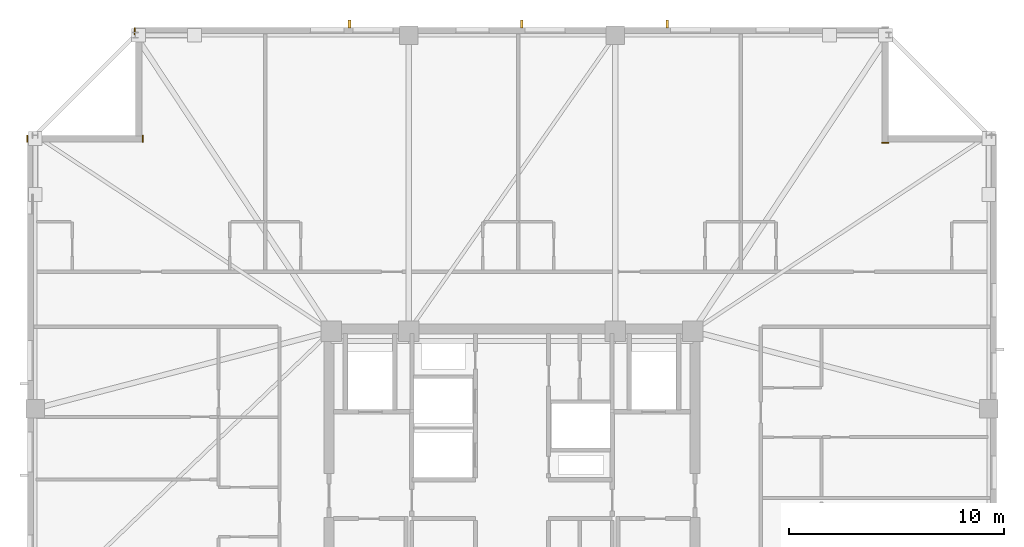
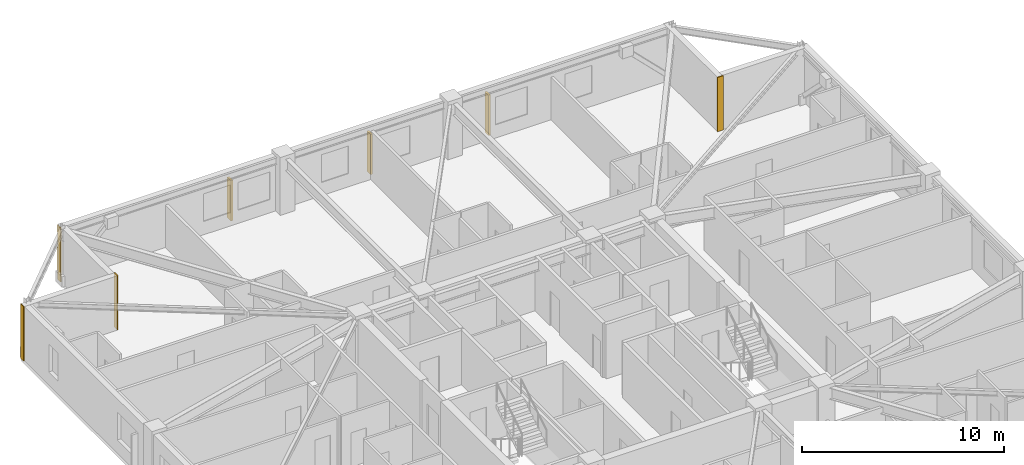
# One storey, part 16 of 17: 4 coverings, 3 shading devices.
"""IFC4 building model written with IfcOpenShell, lengths in metres."""

from ifc_helpers import new_model, si_unit, direction, frame, frame_2d, origin, origin_2d, place, context, subcontext, project, spatial, rectangle, extrude, material, layer, layer_set, type_object, element, save


model = new_model("IFC4")

# Units and contexts
model_context = context("Model", 3, precision=1e-05, world=origin(), true_north=direction((0.0, 1.0)))
body_context = subcontext(model_context, "Body", "Model", "MODEL_VIEW")
ifc_project = project(units=[si_unit("LENGTHUNIT", "METRE"), si_unit("AREAUNIT", "SQUARE_METRE"), si_unit("VOLUMEUNIT", "CUBIC_METRE"), si_unit("PLANEANGLEUNIT", "RADIAN"), si_unit("MASSUNIT", "GRAM", prefix="KILO")], contexts=[model_context])

# Site, building, storey
site_placement = place(None, origin())
site = spatial("IfcSite", under=ifc_project, at=site_placement, CompositionType="ELEMENT")
building_placement = place(site_placement, origin())
building = spatial("IfcBuilding", under=site, at=building_placement, Name="Cairnveth Concourse Tower", CompositionType="ELEMENT")
storey_placement = place(building_placement, frame((0.0, 0.0, 258.5)))
storey = spatial("IfcBuildingStorey", under=building, at=storey_placement, Name="L71", CompositionType="ELEMENT", Elevation=258.5)

# Coverings
ifc_material_1 = material(Name="Dressed Melbourne Bluestone Cladding", Category="masonry")
ifc_layer = layer(ifc_material_1, 0.050048828125)
ifc_layer_set = layer_set([ifc_layer], Name="Dressed Melbourne Bluestone Cladding")
covering_type = type_object("IfcCoveringType", Name="DRESSED BLUESTONE PLINTH CLADDING 50", PredefinedType="CLADDING", material=ifc_layer_set)
for number, where, z_axis, x_axis, name in (
    (1, (29.47998046875, 56.179931640625, 0.0), (0.0, 0.0, 1.0), (0.0, 1.0, 0.0), "Melbourne Bluestone Corner Quoin L71-1075"),
    (2, (34.840087890625, 56.179931640625, 0.0), (0.0, 0.0, 1.0), (0.0, 1.0, 0.0), "Melbourne Bluestone Corner Quoin L71-1076"),
    (3, (34.47998046875, 61.179931640625, 0.0), (0.0, 0.0, 1.0), (0.0, 1.0, 0.0), "Melbourne Bluestone Corner Quoin L71-1077"),
    (4, (69.179931640625, 56.159912109375, 0.0), (0.0, 0.0, 1.0), (1.0, 0.0, 0.0), "Melbourne Bluestone Corner Quoin L71-1079"),
):
    element("IfcCovering", number, at=place(storey_placement, frame(where, z_axis=z_axis, x_axis=x_axis)), inside=storey, type_object=covering_type, Name=name, PredefinedType="CLADDING", context=body_context, shape_type="SweptSolid", body=[
        extrude(rectangle(XDim=0.320068359375, YDim=0.050048828125, at=frame_2d((0.16015625, 0.0))), origin(), (0.0, 0.0, 1.0), 3.2900390625),
    ])

# Shading devices
ifc_material_2 = material(Name="Architectural Bronze Anodised Aluminium 6063-T6", Category="aluminium")
shading_device_type = type_object("IfcShadingDeviceType", Name="GOTHIC BRONZE VERTICAL LANCET FIN", PredefinedType="USERDEFINED", material=ifc_material_2)
for number, where, z_axis, x_axis, name in (
    (5, (44.453125, 61.675048828125, 0.030029296875), (0.0, 0.0, 1.0), (1.0, 0.0, 0.0), "Gothic Bronze Vertical Fin L71-6-3"),
    (6, (52.45361328125, 61.675048828125, 0.030029296875), (0.0, 0.0, 1.0), (1.0, 0.0, 0.0), "Gothic Bronze Vertical Fin L71-6-5"),
    (7, (59.2041015625, 61.675048828125, 0.030029296875), (0.0, 0.0, 1.0), (1.0, 0.0, 0.0), "Gothic Bronze Vertical Fin L71-6-7"),
):
    element("IfcShadingDevice", number, at=place(storey_placement, frame(where, z_axis=z_axis, x_axis=x_axis)), inside=storey, type_object=shading_device_type, Name=name, ObjectType="VERTICAL FIN", PredefinedType="USERDEFINED", context=body_context, shape_type="SweptSolid", body=[
        extrude(rectangle(XDim=0.1201171875, YDim=0.360107421875, at=origin_2d()), origin(), (0.0, 0.0, 1.0), 2.43798828125),
    ])

save(model, "model.ifc")
